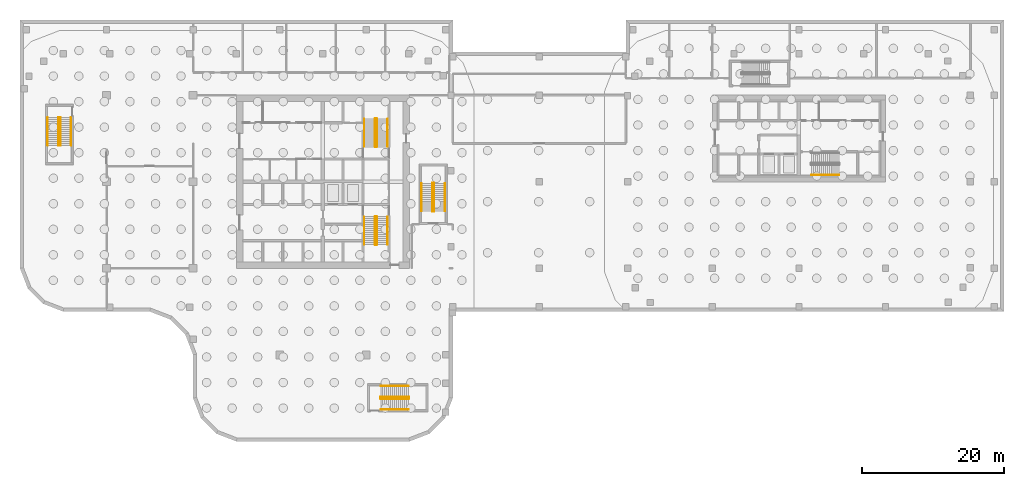
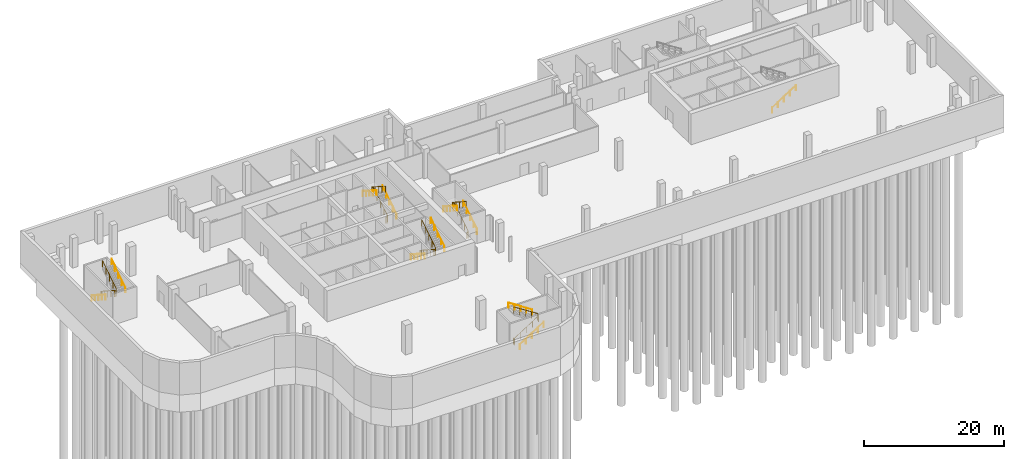
# One storey, part 11 of 13: 16 railings.
"""IFC4 building model written with IfcOpenShell, lengths in metres."""

from ifc_helpers import new_model, si_unit, direction, frame, origin, origin_2d, place, context, subcontext, project, spatial, circle, extrude, material, type_object, element, save


model = new_model("IFC4")

# Units and contexts
model_context = context("Model", 3, precision=1e-05, world=origin(), true_north=direction((0.0, 1.0)))
body_context = subcontext(model_context, "Body", "Model", "MODEL_VIEW")
ifc_project = project(units=[si_unit("LENGTHUNIT", "METRE"), si_unit("AREAUNIT", "SQUARE_METRE"), si_unit("VOLUMEUNIT", "CUBIC_METRE"), si_unit("PLANEANGLEUNIT", "RADIAN"), si_unit("MASSUNIT", "GRAM", prefix="KILO")], contexts=[model_context])

# Site, building, storey
site_placement = place(None, origin())
site = spatial("IfcSite", under=ifc_project, at=site_placement, CompositionType="ELEMENT")
building_placement = place(site_placement, origin())
building = spatial("IfcBuilding", under=site, at=building_placement, Name="Tessera Gate Towers", CompositionType="ELEMENT")
storey_placement = place(building_placement, frame((0.0, 0.0, -5.39990234375)))
storey = spatial("IfcBuildingStorey", under=building, at=storey_placement, Name="B1", CompositionType="ELEMENT", Elevation=-5.39990234375)

# Railings
ifc_material_1 = material(Name="Steel 350W", Category="steel")
railing_type_1 = type_object("IfcRailingType", Name="STAIR GUARD 1100", PredefinedType="GUARDRAIL", material=ifc_material_1)
railing_1_placement = place(storey_placement, frame((50.27490234375, 31.72509765625, 0.0)))
element("IfcRailing", 1, at=railing_1_placement, inside=storey, type_object=railing_type_1, Name="B1 ST1 stair guard 1", PredefinedType="GUARDRAIL", context=body_context, shape_type="SweptSolid", body=[
    extrude(circle(Radius=0.02392578125, at=origin_2d()), frame((0.0, 0.0, 1.076171875), z_axis=(-1.0, 0.0, 0.0), x_axis=(0.0, -1.0, 0.0)), (0.0, 0.0, 1.0), 0.199951171875),
    extrude(circle(Radius=0.02392578125, at=origin_2d()), frame((-0.199951171875, 0.0, 1.076171875), z_axis=(-0.258847668887, -0.258847668887, 0.930588936439), x_axis=(0.707106781187, -0.707106781187, 0.0)), (0.0, 0.0, 1.0), 0.193359375),
    extrude(circle(Radius=0.02392578125, at=origin_2d()), frame((-0.25, -0.050048828125, 1.255859375), z_axis=(0.0, -0.841186985886, 0.540744352514), x_axis=(1.0, 0.0, 0.0)), (0.0, 0.0, 1.0), 4.660400390625),
    extrude(circle(Radius=0.02392578125, at=origin_2d()), frame((-0.25, -3.97021484375, 3.77587890625), z_axis=(0.708833529934, -0.705375805398, 0.0), x_axis=(0.705375805398, 0.708833529934, 0.0)), (0.0, 0.0, 1.0), 0.070556640625),
    extrude(circle(Radius=0.02392578125, at=origin_2d()), frame((-0.199951171875, -4.02001953125, 3.77587890625), z_axis=(1.0, 0.0, 0.0), x_axis=(0.0, 1.0, 0.0)), (0.0, 0.0, 1.0), 0.199951171875),
    extrude(circle(Radius=0.02392578125, at=origin_2d()), frame((0.0, -4.02001953125, 3.77587890625), z_axis=(0.258932105505, 0.257669022063, 0.930892496375), x_axis=(-0.705375805398, 0.708833529934, 0.0)), (0.0, 0.0, 1.0), 0.193359375),
    extrude(circle(Radius=0.02392578125, at=origin_2d()), frame((0.050048828125, -3.97021484375, 3.9560546875), z_axis=(0.0, 0.841186985886, 0.540744352514), x_axis=(-1.0, 0.0, 0.0)), (0.0, 0.0, 1.0), 4.660400390625),
    extrude(circle(Radius=0.02099609375, at=origin_2d()), origin(), (0.0, 0.0, 1.0), 1.052001953125),
    extrude(circle(Radius=0.02099609375, at=origin_2d()), frame((-0.199951171875, 0.0, 0.0)), (0.0, 0.0, 1.0), 1.052001953125),
    extrude(circle(Radius=0.02099609375, at=origin_2d()), frame((-0.25, -0.050048828125, 0.179931640625)), (0.0, 0.0, 1.0), 1.052001953125),
    extrude(circle(Radius=0.02099609375, at=origin_2d()), frame((-0.25, -1.030029296875, 0.81005859375)), (0.0, 0.0, 1.0), 1.052001953125),
    extrude(circle(Radius=0.02099609375, at=origin_2d()), frame((-0.25, -2.01025390625, 1.43994140625)), (0.0, 0.0, 1.0), 1.052001953125),
    extrude(circle(Radius=0.02099609375, at=origin_2d()), frame((-0.25, -2.990234375, 2.06982421875)), (0.0, 0.0, 1.0), 1.052001953125),
    extrude(circle(Radius=0.02099609375, at=origin_2d()), frame((-0.25, -3.97021484375, 2.699951171875)), (0.0, 0.0, 1.0), 1.052001953125),
    extrude(circle(Radius=0.02099609375, at=origin_2d()), frame((-0.199951171875, -4.02001953125, 2.699951171875)), (0.0, 0.0, 1.0), 1.052001953125),
    extrude(circle(Radius=0.02099609375, at=origin_2d()), frame((0.0, -4.02001953125, 2.699951171875)), (0.0, 0.0, 1.0), 1.052001953125),
    extrude(circle(Radius=0.02099609375, at=origin_2d()), frame((0.050048828125, -3.97021484375, 2.8798828125)), (0.0, 0.0, 1.0), 1.052001953125),
    extrude(circle(Radius=0.02099609375, at=origin_2d()), frame((0.050048828125, -2.990234375, 3.509765625)), (0.0, 0.0, 1.0), 1.052001953125),
    extrude(circle(Radius=0.02099609375, at=origin_2d()), frame((0.050048828125, -2.01025390625, 4.139892578125)), (0.0, 0.0, 1.0), 1.052001953125),
    extrude(circle(Radius=0.02099609375, at=origin_2d()), frame((0.050048828125, -1.030029296875, 4.77001953125)), (0.0, 0.0, 1.0), 1.052001953125),
    extrude(circle(Radius=0.02099609375, at=origin_2d()), frame((0.050048828125, -0.050048828125, 5.39990234375)), (0.0, 0.0, 1.0), 1.052001953125),
])
railing_2_placement = place(storey_placement, frame((50.074951171875, 41.47509765625, 0.0)))
element("IfcRailing", 2, at=railing_2_placement, inside=storey, type_object=railing_type_1, Name="B1 ST2 stair guard 1", PredefinedType="GUARDRAIL", context=body_context, shape_type="SweptSolid", body=[
    extrude(circle(Radius=0.02392578125, at=origin_2d()), frame((0.0, 0.0, 1.076171875), z_axis=(1.0, 0.0, 0.0), x_axis=(0.0, 1.0, 0.0)), (0.0, 0.0, 1.0), 0.199951171875),
    extrude(circle(Radius=0.02392578125, at=origin_2d()), frame((0.199951171875, 0.0, 1.076171875), z_axis=(0.258932105505, 0.257669022063, 0.930892496375), x_axis=(-0.705375805398, 0.708833529934, 0.0)), (0.0, 0.0, 1.0), 0.193359375),
    extrude(circle(Radius=0.02392578125, at=origin_2d()), frame((0.25, 0.0498046875, 1.255859375), z_axis=(0.0, 0.841186985886, 0.540744352514), x_axis=(-1.0, 0.0, 0.0)), (0.0, 0.0, 1.0), 4.660400390625),
    extrude(circle(Radius=0.02392578125, at=origin_2d()), frame((0.25, 3.969970703125, 3.77587890625), z_axis=(-0.707106781187, 0.707106781187, 0.0), x_axis=(-0.707106781187, -0.707106781187, 0.0)), (0.0, 0.0, 1.0), 0.07080078125),
    extrude(circle(Radius=0.02392578125, at=origin_2d()), frame((0.199951171875, 4.02001953125, 3.77587890625), z_axis=(-1.0, 0.0, 0.0), x_axis=(0.0, -1.0, 0.0)), (0.0, 0.0, 1.0), 0.199951171875),
    extrude(circle(Radius=0.02392578125, at=origin_2d()), frame((0.0, 4.02001953125, 3.77587890625), z_axis=(-0.258847668887, -0.258847668887, 0.930588936439), x_axis=(0.707106781187, -0.707106781187, 0.0)), (0.0, 0.0, 1.0), 0.193359375),
    extrude(circle(Radius=0.02392578125, at=origin_2d()), frame((-0.050048828125, 3.969970703125, 3.9560546875), z_axis=(0.0, -0.841186985886, 0.540744352514), x_axis=(1.0, 0.0, 0.0)), (0.0, 0.0, 1.0), 4.660400390625),
    extrude(circle(Radius=0.02099609375, at=origin_2d()), origin(), (0.0, 0.0, 1.0), 1.052001953125),
    extrude(circle(Radius=0.02099609375, at=origin_2d()), frame((0.199951171875, 0.0, 0.0)), (0.0, 0.0, 1.0), 1.052001953125),
    extrude(circle(Radius=0.02099609375, at=origin_2d()), frame((0.25, 0.0498046875, 0.179931640625)), (0.0, 0.0, 1.0), 1.052001953125),
    extrude(circle(Radius=0.02099609375, at=origin_2d()), frame((0.25, 1.02978515625, 0.81005859375)), (0.0, 0.0, 1.0), 1.052001953125),
    extrude(circle(Radius=0.02099609375, at=origin_2d()), frame((0.25, 2.009765625, 1.43994140625)), (0.0, 0.0, 1.0), 1.052001953125),
    extrude(circle(Radius=0.02099609375, at=origin_2d()), frame((0.25, 2.989990234375, 2.06982421875)), (0.0, 0.0, 1.0), 1.052001953125),
    extrude(circle(Radius=0.02099609375, at=origin_2d()), frame((0.25, 3.969970703125, 2.699951171875)), (0.0, 0.0, 1.0), 1.052001953125),
    extrude(circle(Radius=0.02099609375, at=origin_2d()), frame((0.199951171875, 4.02001953125, 2.699951171875)), (0.0, 0.0, 1.0), 1.052001953125),
    extrude(circle(Radius=0.02099609375, at=origin_2d()), frame((0.0, 4.02001953125, 2.699951171875)), (0.0, 0.0, 1.0), 1.052001953125),
    extrude(circle(Radius=0.02099609375, at=origin_2d()), frame((-0.050048828125, 3.969970703125, 2.8798828125)), (0.0, 0.0, 1.0), 1.052001953125),
    extrude(circle(Radius=0.02099609375, at=origin_2d()), frame((-0.050048828125, 2.989990234375, 3.509765625)), (0.0, 0.0, 1.0), 1.052001953125),
    extrude(circle(Radius=0.02099609375, at=origin_2d()), frame((-0.050048828125, 2.009765625, 4.139892578125)), (0.0, 0.0, 1.0), 1.052001953125),
    extrude(circle(Radius=0.02099609375, at=origin_2d()), frame((-0.050048828125, 1.02978515625, 4.77001953125)), (0.0, 0.0, 1.0), 1.052001953125),
    extrude(circle(Radius=0.02099609375, at=origin_2d()), frame((-0.050048828125, 0.0498046875, 5.39990234375)), (0.0, 0.0, 1.0), 1.052001953125),
])
railing_3_placement = place(storey_placement, frame((5.64990234375, 45.699951171875, 0.0)))
element("IfcRailing", 3, at=railing_3_placement, inside=storey, type_object=railing_type_1, Name="B1 ST3 stair guard 1", PredefinedType="GUARDRAIL", context=body_context, shape_type="SweptSolid", body=[
    extrude(circle(Radius=0.02392578125, at=origin_2d()), frame((0.0, 0.0, 1.076171875), z_axis=(-1.0, 0.0, 0.0), x_axis=(0.0, -1.0, 0.0)), (0.0, 0.0, 1.0), 0.199951171875),
    extrude(circle(Radius=0.02392578125, at=origin_2d()), frame((-0.199951171875, 0.0, 1.076171875), z_axis=(-0.258847668887, -0.258847668887, 0.930588936439), x_axis=(0.707106781187, -0.707106781187, 0.0)), (0.0, 0.0, 1.0), 0.193359375),
    extrude(circle(Radius=0.02392578125, at=origin_2d()), frame((-0.25, -0.050048828125, 1.255859375), z_axis=(0.0, -0.841171666519, 0.540768182723), x_axis=(1.0, 0.0, 0.0)), (0.0, 0.0, 1.0), 4.66015625),
    extrude(circle(Radius=0.02392578125, at=origin_2d()), frame((-0.25, -3.969970703125, 3.77587890625), z_axis=(0.707106781187, -0.707106781187, 0.0), x_axis=(0.707106781187, 0.707106781187, 0.0)), (0.0, 0.0, 1.0), 0.07080078125),
    extrude(circle(Radius=0.02392578125, at=origin_2d()), frame((-0.199951171875, -4.02001953125, 3.77587890625), z_axis=(1.0, 0.0, 0.0), x_axis=(0.0, 1.0, 0.0)), (0.0, 0.0, 1.0), 0.199951171875),
    extrude(circle(Radius=0.02392578125, at=origin_2d()), frame((0.0, -4.02001953125, 3.77587890625), z_axis=(0.258847668887, 0.258847668887, 0.930588936439), x_axis=(-0.707106781187, 0.707106781187, 0.0)), (0.0, 0.0, 1.0), 0.193359375),
    extrude(circle(Radius=0.02392578125, at=origin_2d()), frame((0.050048828125, -3.969970703125, 3.9560546875), z_axis=(0.0, 0.841171666519, 0.540768182723), x_axis=(-1.0, 0.0, 0.0)), (0.0, 0.0, 1.0), 4.66015625),
    extrude(circle(Radius=0.02099609375, at=origin_2d()), origin(), (0.0, 0.0, 1.0), 1.052001953125),
    extrude(circle(Radius=0.02099609375, at=origin_2d()), frame((-0.199951171875, 0.0, 0.0)), (0.0, 0.0, 1.0), 1.052001953125),
    extrude(circle(Radius=0.02099609375, at=origin_2d()), frame((-0.25, -0.050048828125, 0.179931640625)), (0.0, 0.0, 1.0), 1.052001953125),
    extrude(circle(Radius=0.02099609375, at=origin_2d()), frame((-0.25, -1.030029296875, 0.81005859375)), (0.0, 0.0, 1.0), 1.052001953125),
    extrude(circle(Radius=0.02099609375, at=origin_2d()), frame((-0.25, -2.010009765625, 1.43994140625)), (0.0, 0.0, 1.0), 1.052001953125),
    extrude(circle(Radius=0.02099609375, at=origin_2d()), frame((-0.25, -2.989990234375, 2.06982421875)), (0.0, 0.0, 1.0), 1.052001953125),
    extrude(circle(Radius=0.02099609375, at=origin_2d()), frame((-0.25, -3.969970703125, 2.699951171875)), (0.0, 0.0, 1.0), 1.052001953125),
    extrude(circle(Radius=0.02099609375, at=origin_2d()), frame((-0.199951171875, -4.02001953125, 2.699951171875)), (0.0, 0.0, 1.0), 1.052001953125),
    extrude(circle(Radius=0.02099609375, at=origin_2d()), frame((0.0, -4.02001953125, 2.699951171875)), (0.0, 0.0, 1.0), 1.052001953125),
    extrude(circle(Radius=0.02099609375, at=origin_2d()), frame((0.050048828125, -3.969970703125, 2.8798828125)), (0.0, 0.0, 1.0), 1.052001953125),
    extrude(circle(Radius=0.02099609375, at=origin_2d()), frame((0.050048828125, -2.989990234375, 3.509765625)), (0.0, 0.0, 1.0), 1.052001953125),
    extrude(circle(Radius=0.02099609375, at=origin_2d()), frame((0.050048828125, -2.010009765625, 4.139892578125)), (0.0, 0.0, 1.0), 1.052001953125),
    extrude(circle(Radius=0.02099609375, at=origin_2d()), frame((0.050048828125, -1.030029296875, 4.77001953125)), (0.0, 0.0, 1.0), 1.052001953125),
    extrude(circle(Radius=0.02099609375, at=origin_2d()), frame((0.050048828125, -0.050048828125, 5.39990234375)), (0.0, 0.0, 1.0), 1.052001953125),
])
railing_4_placement = place(storey_placement, frame((50.800048828125, 6.25, 0.0)))
element("IfcRailing", 4, at=railing_4_placement, inside=storey, type_object=railing_type_1, Name="B1 ST4 stair guard 1", PredefinedType="GUARDRAIL", context=body_context, shape_type="SweptSolid", body=[
    extrude(circle(Radius=0.02392578125, at=origin_2d()), frame((0.0, 0.0, 1.076171875), z_axis=(0.0, -1.0, 0.0), x_axis=(1.0, 0.0, 0.0)), (0.0, 0.0, 1.0), 0.199951171875),
    extrude(circle(Radius=0.02392578125, at=origin_2d()), frame((0.0, -0.199951171875, 1.076171875), z_axis=(0.258847668887, -0.258847668887, 0.930588936439), x_axis=(0.707106781187, 0.707106781187, 0.0)), (0.0, 0.0, 1.0), 0.193359375),
    extrude(circle(Radius=0.02392578125, at=origin_2d()), frame((0.050048828125, -0.25, 1.255859375), z_axis=(0.841171666519, 0.0, 0.540768182723), x_axis=(0.0, 1.0, 0.0)), (0.0, 0.0, 1.0), 4.66015625),
    extrude(circle(Radius=0.02392578125, at=origin_2d()), frame((3.969970703125, -0.25, 3.77587890625), z_axis=(0.707106781187, 0.707106781187, 0.0), x_axis=(-0.707106781187, 0.707106781187, 0.0)), (0.0, 0.0, 1.0), 0.07080078125),
    extrude(circle(Radius=0.02392578125, at=origin_2d()), frame((4.02001953125, -0.199951171875, 3.77587890625), z_axis=(0.0, 1.0, 0.0), x_axis=(-1.0, 0.0, 0.0)), (0.0, 0.0, 1.0), 0.199951171875),
    extrude(circle(Radius=0.02392578125, at=origin_2d()), frame((4.02001953125, 0.0, 3.77587890625), z_axis=(-0.258847668887, 0.258847668887, 0.930588936439), x_axis=(-0.707106781187, -0.707106781187, 0.0)), (0.0, 0.0, 1.0), 0.193359375),
    extrude(circle(Radius=0.02392578125, at=origin_2d()), frame((3.969970703125, 0.050048828125, 3.9560546875), z_axis=(-0.841171666519, 0.0, 0.540768182723), x_axis=(0.0, -1.0, 0.0)), (0.0, 0.0, 1.0), 4.66015625),
    extrude(circle(Radius=0.02099609375, at=origin_2d()), origin(), (0.0, 0.0, 1.0), 1.052001953125),
    extrude(circle(Radius=0.02099609375, at=origin_2d()), frame((0.0, -0.199951171875, 0.0)), (0.0, 0.0, 1.0), 1.052001953125),
    extrude(circle(Radius=0.02099609375, at=origin_2d()), frame((0.050048828125, -0.25, 0.179931640625)), (0.0, 0.0, 1.0), 1.052001953125),
    extrude(circle(Radius=0.02099609375, at=origin_2d()), frame((1.030029296875, -0.25, 0.81005859375)), (0.0, 0.0, 1.0), 1.052001953125),
    extrude(circle(Radius=0.02099609375, at=origin_2d()), frame((2.010009765625, -0.25, 1.43994140625)), (0.0, 0.0, 1.0), 1.052001953125),
    extrude(circle(Radius=0.02099609375, at=origin_2d()), frame((2.989990234375, -0.25, 2.06982421875)), (0.0, 0.0, 1.0), 1.052001953125),
    extrude(circle(Radius=0.02099609375, at=origin_2d()), frame((3.969970703125, -0.25, 2.699951171875)), (0.0, 0.0, 1.0), 1.052001953125),
    extrude(circle(Radius=0.02099609375, at=origin_2d()), frame((4.02001953125, -0.199951171875, 2.699951171875)), (0.0, 0.0, 1.0), 1.052001953125),
    extrude(circle(Radius=0.02099609375, at=origin_2d()), frame((4.02001953125, 0.0, 2.699951171875)), (0.0, 0.0, 1.0), 1.052001953125),
    extrude(circle(Radius=0.02099609375, at=origin_2d()), frame((3.969970703125, 0.050048828125, 2.8798828125)), (0.0, 0.0, 1.0), 1.052001953125),
    extrude(circle(Radius=0.02099609375, at=origin_2d()), frame((2.989990234375, 0.050048828125, 3.509765625)), (0.0, 0.0, 1.0), 1.052001953125),
    extrude(circle(Radius=0.02099609375, at=origin_2d()), frame((2.010009765625, 0.050048828125, 4.139892578125)), (0.0, 0.0, 1.0), 1.052001953125),
    extrude(circle(Radius=0.02099609375, at=origin_2d()), frame((1.030029296875, 0.050048828125, 4.77001953125)), (0.0, 0.0, 1.0), 1.052001953125),
    extrude(circle(Radius=0.02099609375, at=origin_2d()), frame((0.050048828125, 0.050048828125, 5.39990234375)), (0.0, 0.0, 1.0), 1.052001953125),
])
railing_5_placement = place(storey_placement, frame((58.14990234375, 32.39990234375, 0.0)))
element("IfcRailing", 5, at=railing_5_placement, inside=storey, type_object=railing_type_1, Name="B1 ST5 stair guard 1", PredefinedType="GUARDRAIL", context=body_context, shape_type="SweptSolid", body=[
    extrude(circle(Radius=0.02392578125, at=origin_2d()), frame((0.0, 0.0, 1.076171875), z_axis=(1.0, 0.0, 0.0), x_axis=(0.0, 1.0, 0.0)), (0.0, 0.0, 1.0), 0.2001953125),
    extrude(circle(Radius=0.02392578125, at=origin_2d()), frame((0.2001953125, 0.0, 1.076171875), z_axis=(0.257669022063, 0.258932105505, 0.930892496375), x_axis=(-0.708833529934, 0.705375805398, 0.0)), (0.0, 0.0, 1.0), 0.193359375),
    extrude(circle(Radius=0.02392578125, at=origin_2d()), frame((0.25, 0.050048828125, 1.255859375), z_axis=(0.0, 0.841186985886, 0.540744352514), x_axis=(-1.0, 0.0, 0.0)), (0.0, 0.0, 1.0), 4.660400390625),
    extrude(circle(Radius=0.02392578125, at=origin_2d()), frame((0.25, 3.97021484375, 3.77587890625), z_axis=(-0.707106781187, 0.707106781187, 0.0), x_axis=(-0.707106781187, -0.707106781187, 0.0)), (0.0, 0.0, 1.0), 0.0703125),
    extrude(circle(Radius=0.02392578125, at=origin_2d()), frame((0.2001953125, 4.02001953125, 3.77587890625), z_axis=(-1.0, 0.0, 0.0), x_axis=(0.0, -1.0, 0.0)), (0.0, 0.0, 1.0), 0.2001953125),
    extrude(circle(Radius=0.02392578125, at=origin_2d()), frame((0.0, 4.02001953125, 3.77587890625), z_axis=(-0.257753129075, -0.257753129075, 0.931196353571), x_axis=(0.707106781187, -0.707106781187, 0.0)), (0.0, 0.0, 1.0), 0.193115234375),
    extrude(circle(Radius=0.02392578125, at=origin_2d()), frame((-0.0498046875, 3.97021484375, 3.9560546875), z_axis=(0.0, -0.841186985886, 0.540744352514), x_axis=(1.0, 0.0, 0.0)), (0.0, 0.0, 1.0), 4.660400390625),
    extrude(circle(Radius=0.02099609375, at=origin_2d()), origin(), (0.0, 0.0, 1.0), 1.052001953125),
    extrude(circle(Radius=0.02099609375, at=origin_2d()), frame((0.2001953125, 0.0, 0.0)), (0.0, 0.0, 1.0), 1.052001953125),
    extrude(circle(Radius=0.02099609375, at=origin_2d()), frame((0.25, 0.050048828125, 0.179931640625)), (0.0, 0.0, 1.0), 1.052001953125),
    extrude(circle(Radius=0.02099609375, at=origin_2d()), frame((0.25, 1.030029296875, 0.81005859375)), (0.0, 0.0, 1.0), 1.052001953125),
    extrude(circle(Radius=0.02099609375, at=origin_2d()), frame((0.25, 2.01025390625, 1.43994140625)), (0.0, 0.0, 1.0), 1.052001953125),
    extrude(circle(Radius=0.02099609375, at=origin_2d()), frame((0.25, 2.990234375, 2.06982421875)), (0.0, 0.0, 1.0), 1.052001953125),
    extrude(circle(Radius=0.02099609375, at=origin_2d()), frame((0.25, 3.97021484375, 2.699951171875)), (0.0, 0.0, 1.0), 1.052001953125),
    extrude(circle(Radius=0.02099609375, at=origin_2d()), frame((0.2001953125, 4.02001953125, 2.699951171875)), (0.0, 0.0, 1.0), 1.052001953125),
    extrude(circle(Radius=0.02099609375, at=origin_2d()), frame((0.0, 4.02001953125, 2.699951171875)), (0.0, 0.0, 1.0), 1.052001953125),
    extrude(circle(Radius=0.02099609375, at=origin_2d()), frame((-0.0498046875, 3.97021484375, 2.8798828125)), (0.0, 0.0, 1.0), 1.052001953125),
    extrude(circle(Radius=0.02099609375, at=origin_2d()), frame((-0.0498046875, 2.990234375, 3.509765625)), (0.0, 0.0, 1.0), 1.052001953125),
    extrude(circle(Radius=0.02099609375, at=origin_2d()), frame((-0.0498046875, 2.01025390625, 4.139892578125)), (0.0, 0.0, 1.0), 1.052001953125),
    extrude(circle(Radius=0.02099609375, at=origin_2d()), frame((-0.0498046875, 1.030029296875, 4.77001953125)), (0.0, 0.0, 1.0), 1.052001953125),
    extrude(circle(Radius=0.02099609375, at=origin_2d()), frame((-0.0498046875, 0.050048828125, 5.39990234375)), (0.0, 0.0, 1.0), 1.052001953125),
])
ifc_material_2 = material(Name="Steel 350W", Category="steel")
railing_type_2 = type_object("IfcRailingType", Name="STAIR HANDRAIL 900", PredefinedType="HANDRAIL", material=ifc_material_2)
railing_6_placement = place(storey_placement, frame((48.52490234375, 31.675048828125, 0.179931640625)))
element("IfcRailing", 6, at=railing_6_placement, inside=storey, type_object=railing_type_2, Name="B1 ST1 stair handrail 1", PredefinedType="HANDRAIL", context=body_context, shape_type="SweptSolid", body=[
    extrude(circle(Radius=0.02392578125, at=origin_2d()), frame((0.0, 0.0, 0.8759765625), z_axis=(0.0, -0.841186985886, 0.540744352514), x_axis=(1.0, 0.0, 0.0)), (0.0, 0.0, 1.0), 4.660400390625),
    extrude(circle(Radius=0.02099609375, at=origin_2d()), origin(), (0.0, 0.0, 1.0), 0.851806640625),
    extrude(circle(Radius=0.02099609375, at=origin_2d()), frame((0.0, -0.97998046875, 0.6298828125)), (0.0, 0.0, 1.0), 0.851806640625),
    extrude(circle(Radius=0.02099609375, at=origin_2d()), frame((0.0, -1.9599609375, 1.260009765625)), (0.0, 0.0, 1.0), 0.851806640625),
    extrude(circle(Radius=0.02099609375, at=origin_2d()), frame((0.0, -2.940185546875, 1.89013671875)), (0.0, 0.0, 1.0), 0.851806640625),
    extrude(circle(Radius=0.02099609375, at=origin_2d()), frame((0.0, -3.920166015625, 2.52001953125)), (0.0, 0.0, 1.0), 0.851806640625),
])
for number, where, name in (
    (7, (51.824951171875, 27.7548828125, 2.8798828125), "B1 ST1 stair handrail 2"),
    (8, (51.824951171875, 41.52490234375, 0.179931640625), "B1 ST2 stair handrail 1"),
):
    element("IfcRailing", number, at=place(storey_placement, frame(where)), inside=storey, type_object=railing_type_2, Name=name, PredefinedType="HANDRAIL", context=body_context, shape_type="SweptSolid", body=[
        extrude(circle(Radius=0.02392578125, at=origin_2d()), frame((0.0, 0.0, 0.8759765625), z_axis=(0.0, 0.841186985886, 0.540744352514), x_axis=(-1.0, 0.0, 0.0)), (0.0, 0.0, 1.0), 4.660400390625),
        extrude(circle(Radius=0.02099609375, at=origin_2d()), origin(), (0.0, 0.0, 1.0), 0.851806640625),
        extrude(circle(Radius=0.02099609375, at=origin_2d()), frame((0.0, 0.97998046875, 0.6298828125)), (0.0, 0.0, 1.0), 0.851806640625),
        extrude(circle(Radius=0.02099609375, at=origin_2d()), frame((0.0, 1.9599609375, 1.260009765625)), (0.0, 0.0, 1.0), 0.851806640625),
        extrude(circle(Radius=0.02099609375, at=origin_2d()), frame((0.0, 2.940185546875, 1.89013671875)), (0.0, 0.0, 1.0), 0.851806640625),
        extrude(circle(Radius=0.02099609375, at=origin_2d()), frame((0.0, 3.920166015625, 2.52001953125)), (0.0, 0.0, 1.0), 0.851806640625),
    ])
railing_7_placement = place(storey_placement, frame((48.52490234375, 45.445068359375, 2.8798828125)))
element("IfcRailing", 9, at=railing_7_placement, inside=storey, type_object=railing_type_2, Name="B1 ST2 stair handrail 2", PredefinedType="HANDRAIL", context=body_context, shape_type="SweptSolid", body=[
    extrude(circle(Radius=0.02392578125, at=origin_2d()), frame((0.0, 0.0, 0.8759765625), z_axis=(0.0, -0.841186985886, 0.540744352514), x_axis=(1.0, 0.0, 0.0)), (0.0, 0.0, 1.0), 4.660400390625),
    extrude(circle(Radius=0.02099609375, at=origin_2d()), origin(), (0.0, 0.0, 1.0), 0.851806640625),
    extrude(circle(Radius=0.02099609375, at=origin_2d()), frame((0.0, -0.97998046875, 0.6298828125)), (0.0, 0.0, 1.0), 0.851806640625),
    extrude(circle(Radius=0.02099609375, at=origin_2d()), frame((0.0, -1.9599609375, 1.260009765625)), (0.0, 0.0, 1.0), 0.851806640625),
    extrude(circle(Radius=0.02099609375, at=origin_2d()), frame((0.0, -2.940185546875, 1.89013671875)), (0.0, 0.0, 1.0), 0.851806640625),
    extrude(circle(Radius=0.02099609375, at=origin_2d()), frame((0.0, -3.920166015625, 2.52001953125)), (0.0, 0.0, 1.0), 0.851806640625),
])
railing_8_placement = place(storey_placement, frame((3.89990234375, 45.64990234375, 0.179931640625)))
element("IfcRailing", 10, at=railing_8_placement, inside=storey, type_object=railing_type_2, Name="B1 ST3 stair handrail 1", PredefinedType="HANDRAIL", context=body_context, shape_type="SweptSolid", body=[
    extrude(circle(Radius=0.02392578125, at=origin_2d()), frame((0.0, 0.0, 0.8759765625), z_axis=(0.0, -0.841171666519, 0.540768182723), x_axis=(1.0, 0.0, 0.0)), (0.0, 0.0, 1.0), 4.66015625),
    extrude(circle(Radius=0.02099609375, at=origin_2d()), origin(), (0.0, 0.0, 1.0), 0.851806640625),
    extrude(circle(Radius=0.02099609375, at=origin_2d()), frame((0.0, -0.97998046875, 0.6298828125)), (0.0, 0.0, 1.0), 0.851806640625),
    extrude(circle(Radius=0.02099609375, at=origin_2d()), frame((0.0, -1.9599609375, 1.260009765625)), (0.0, 0.0, 1.0), 0.851806640625),
    extrude(circle(Radius=0.02099609375, at=origin_2d()), frame((0.0, -2.93994140625, 1.89013671875)), (0.0, 0.0, 1.0), 0.851806640625),
    extrude(circle(Radius=0.02099609375, at=origin_2d()), frame((0.0, -3.919921875, 2.52001953125)), (0.0, 0.0, 1.0), 0.851806640625),
])
railing_9_placement = place(storey_placement, frame((7.199951171875, 41.72998046875, 2.8798828125)))
element("IfcRailing", 11, at=railing_9_placement, inside=storey, type_object=railing_type_2, Name="B1 ST3 stair handrail 2", PredefinedType="HANDRAIL", context=body_context, shape_type="SweptSolid", body=[
    extrude(circle(Radius=0.02392578125, at=origin_2d()), frame((0.0, 0.0, 0.8759765625), z_axis=(0.0, 0.841171666519, 0.540768182723), x_axis=(-1.0, 0.0, 0.0)), (0.0, 0.0, 1.0), 4.66015625),
    extrude(circle(Radius=0.02099609375, at=origin_2d()), origin(), (0.0, 0.0, 1.0), 0.851806640625),
    extrude(circle(Radius=0.02099609375, at=origin_2d()), frame((0.0, 0.97998046875, 0.6298828125)), (0.0, 0.0, 1.0), 0.851806640625),
    extrude(circle(Radius=0.02099609375, at=origin_2d()), frame((0.0, 1.9599609375, 1.260009765625)), (0.0, 0.0, 1.0), 0.851806640625),
    extrude(circle(Radius=0.02099609375, at=origin_2d()), frame((0.0, 2.93994140625, 1.89013671875)), (0.0, 0.0, 1.0), 0.851806640625),
    extrude(circle(Radius=0.02099609375, at=origin_2d()), frame((0.0, 3.919921875, 2.52001953125)), (0.0, 0.0, 1.0), 0.851806640625),
])
railing_10_placement = place(storey_placement, frame((50.85009765625, 4.5, 0.179931640625)))
element("IfcRailing", 12, at=railing_10_placement, inside=storey, type_object=railing_type_2, Name="B1 ST4 stair handrail 1", PredefinedType="HANDRAIL", context=body_context, shape_type="SweptSolid", body=[
    extrude(circle(Radius=0.02392578125, at=origin_2d()), frame((0.0, 0.0, 0.8759765625), z_axis=(0.841171666519, 0.0, 0.540768182723), x_axis=(0.0, 1.0, 0.0)), (0.0, 0.0, 1.0), 4.66015625),
    extrude(circle(Radius=0.02099609375, at=origin_2d()), origin(), (0.0, 0.0, 1.0), 0.851806640625),
    extrude(circle(Radius=0.02099609375, at=origin_2d()), frame((0.97998046875, 0.0, 0.6298828125)), (0.0, 0.0, 1.0), 0.851806640625),
    extrude(circle(Radius=0.02099609375, at=origin_2d()), frame((1.9599609375, 0.0, 1.260009765625)), (0.0, 0.0, 1.0), 0.851806640625),
    extrude(circle(Radius=0.02099609375, at=origin_2d()), frame((2.93994140625, 0.0, 1.89013671875)), (0.0, 0.0, 1.0), 0.851806640625),
    extrude(circle(Radius=0.02099609375, at=origin_2d()), frame((3.919921875, 0.0, 2.52001953125)), (0.0, 0.0, 1.0), 0.851806640625),
])
railing_11_placement = place(storey_placement, frame((54.77001953125, 7.800048828125, 2.8798828125)))
element("IfcRailing", 13, at=railing_11_placement, inside=storey, type_object=railing_type_2, Name="B1 ST4 stair handrail 2", PredefinedType="HANDRAIL", context=body_context, shape_type="SweptSolid", body=[
    extrude(circle(Radius=0.02392578125, at=origin_2d()), frame((0.0, 0.0, 0.8759765625), z_axis=(-0.841171666519, 0.0, 0.540768182723), x_axis=(0.0, -1.0, 0.0)), (0.0, 0.0, 1.0), 4.66015625),
    extrude(circle(Radius=0.02099609375, at=origin_2d()), origin(), (0.0, 0.0, 1.0), 0.851806640625),
    extrude(circle(Radius=0.02099609375, at=origin_2d()), frame((-0.97998046875, 0.0, 0.6298828125)), (0.0, 0.0, 1.0), 0.851806640625),
    extrude(circle(Radius=0.02099609375, at=origin_2d()), frame((-1.9599609375, 0.0, 1.260009765625)), (0.0, 0.0, 1.0), 0.851806640625),
    extrude(circle(Radius=0.02099609375, at=origin_2d()), frame((-2.93994140625, 0.0, 1.89013671875)), (0.0, 0.0, 1.0), 0.851806640625),
    extrude(circle(Radius=0.02099609375, at=origin_2d()), frame((-3.919921875, 0.0, 2.52001953125)), (0.0, 0.0, 1.0), 0.851806640625),
])
railing_12_placement = place(storey_placement, frame((59.89990234375, 32.449951171875, 0.179931640625)))
element("IfcRailing", 14, at=railing_12_placement, inside=storey, type_object=railing_type_2, Name="B1 ST5 stair handrail 1", PredefinedType="HANDRAIL", context=body_context, shape_type="SweptSolid", body=[
    extrude(circle(Radius=0.02392578125, at=origin_2d()), frame((0.0, 0.0, 0.8759765625), z_axis=(0.0, 0.841186985886, 0.540744352514), x_axis=(-1.0, 0.0, 0.0)), (0.0, 0.0, 1.0), 4.660400390625),
    extrude(circle(Radius=0.02099609375, at=origin_2d()), origin(), (0.0, 0.0, 1.0), 0.851806640625),
    extrude(circle(Radius=0.02099609375, at=origin_2d()), frame((0.0, 0.97998046875, 0.6298828125)), (0.0, 0.0, 1.0), 0.851806640625),
    extrude(circle(Radius=0.02099609375, at=origin_2d()), frame((0.0, 1.9599609375, 1.260009765625)), (0.0, 0.0, 1.0), 0.851806640625),
    extrude(circle(Radius=0.02099609375, at=origin_2d()), frame((0.0, 2.940185546875, 1.89013671875)), (0.0, 0.0, 1.0), 0.851806640625),
    extrude(circle(Radius=0.02099609375, at=origin_2d()), frame((0.0, 3.920166015625, 2.52001953125)), (0.0, 0.0, 1.0), 0.851806640625),
])
railing_13_placement = place(storey_placement, frame((56.60009765625, 36.3701171875, 2.8798828125)))
element("IfcRailing", 15, at=railing_13_placement, inside=storey, type_object=railing_type_2, Name="B1 ST5 stair handrail 2", PredefinedType="HANDRAIL", context=body_context, shape_type="SweptSolid", body=[
    extrude(circle(Radius=0.02392578125, at=origin_2d()), frame((0.0, 0.0, 0.8759765625), z_axis=(0.0, -0.841186985886, 0.540744352514), x_axis=(1.0, 0.0, 0.0)), (0.0, 0.0, 1.0), 4.660400390625),
    extrude(circle(Radius=0.02099609375, at=origin_2d()), origin(), (0.0, 0.0, 1.0), 0.851806640625),
    extrude(circle(Radius=0.02099609375, at=origin_2d()), frame((0.0, -0.97998046875, 0.6298828125)), (0.0, 0.0, 1.0), 0.851806640625),
    extrude(circle(Radius=0.02099609375, at=origin_2d()), frame((0.0, -1.9599609375, 1.260009765625)), (0.0, 0.0, 1.0), 0.851806640625),
    extrude(circle(Radius=0.02099609375, at=origin_2d()), frame((0.0, -2.940185546875, 1.89013671875)), (0.0, 0.0, 1.0), 0.851806640625),
    extrude(circle(Radius=0.02099609375, at=origin_2d()), frame((0.0, -3.920166015625, 2.52001953125)), (0.0, 0.0, 1.0), 0.851806640625),
])
railing_14_placement = place(storey_placement, frame((111.550048828125, 37.550048828125, 0.179931640625)))
element("IfcRailing", 16, at=railing_14_placement, inside=storey, type_object=railing_type_2, Name="B1 ST6 stair handrail 1", PredefinedType="HANDRAIL", context=body_context, shape_type="SweptSolid", body=[
    extrude(circle(Radius=0.02392578125, at=origin_2d()), frame((0.0, 0.0, 0.8759765625), z_axis=(0.841171666519, 0.0, 0.540768182723), x_axis=(0.0, 1.0, 0.0)), (0.0, 0.0, 1.0), 4.66015625),
    extrude(circle(Radius=0.02099609375, at=origin_2d()), origin(), (0.0, 0.0, 1.0), 0.851806640625),
    extrude(circle(Radius=0.02099609375, at=origin_2d()), frame((0.97998046875, 0.0, 0.6298828125)), (0.0, 0.0, 1.0), 0.851806640625),
    extrude(circle(Radius=0.02099609375, at=origin_2d()), frame((1.9599609375, 0.0, 1.260009765625)), (0.0, 0.0, 1.0), 0.851806640625),
    extrude(circle(Radius=0.02099609375, at=origin_2d()), frame((2.93994140625, 0.0, 1.89013671875)), (0.0, 0.0, 1.0), 0.851806640625),
    extrude(circle(Radius=0.02099609375, at=origin_2d()), frame((3.919921875, 0.0, 2.52001953125)), (0.0, 0.0, 1.0), 0.851806640625),
])

save(model, "model.ifc")
